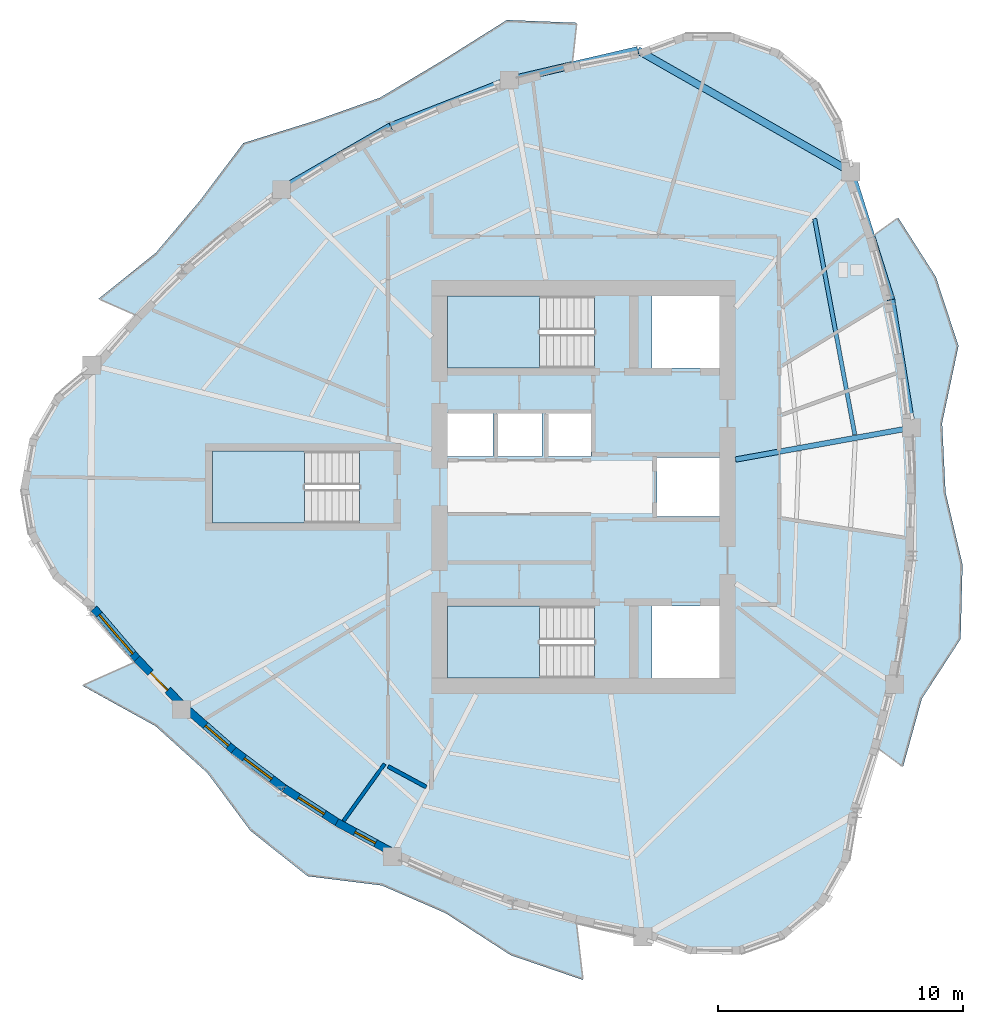
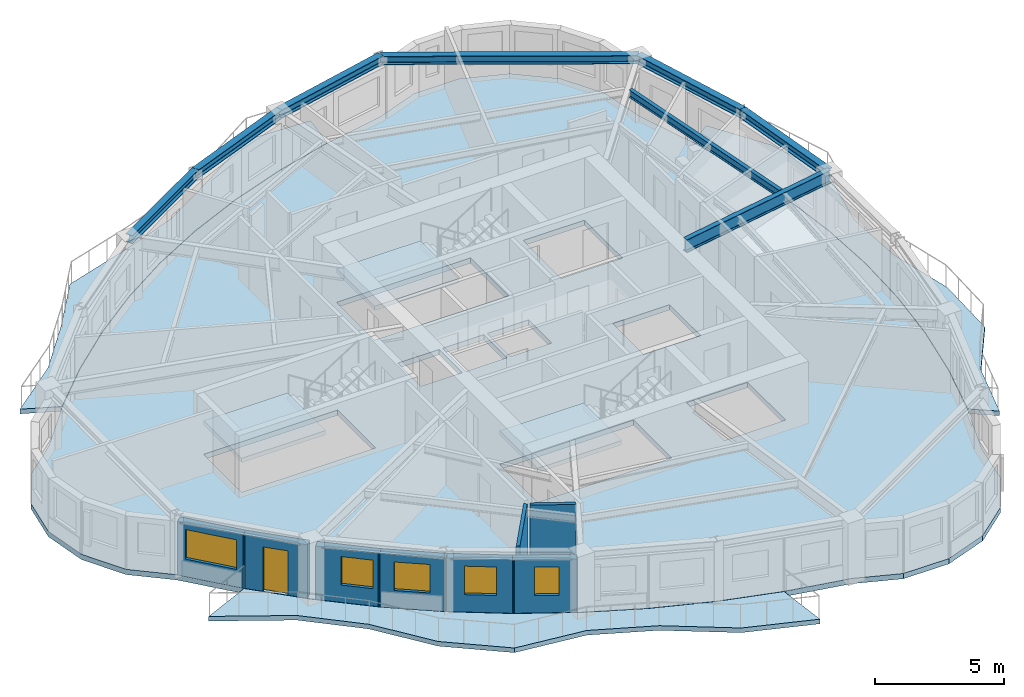
# One storey, part 2 of 12: 8 beams, 8 walls, 7 slabs, 5 windows, 1 door, 6 openings, 3 elements without a shape of their own.
"""IFC4 building model written with IfcOpenShell, lengths in metres."""

from ifc_helpers import new_model, si_unit, direction, frame, frame_2d, origin, origin_2d, place, context, subcontext, project, spatial, polyline, rectangle, i_section, outline, extrude, source, transform, mapped, material, layer, layer_set, material_profile, profile_set, type_object, element, fill, aggregate, save


model = new_model("IFC4")

# Units and contexts
model_context = context("Model", 3, precision=1e-05, world=origin(), true_north=direction((0.0, 1.0)))
body_context = subcontext(model_context, "Body", "Model", "MODEL_VIEW")
ifc_project = project(units=[si_unit("LENGTHUNIT", "METRE"), si_unit("AREAUNIT", "SQUARE_METRE"), si_unit("VOLUMEUNIT", "CUBIC_METRE"), si_unit("PLANEANGLEUNIT", "RADIAN"), si_unit("MASSUNIT", "GRAM", prefix="KILO")], contexts=[model_context])

# Site, building, storey
site_placement = place(None, origin())
site = spatial("IfcSite", under=ifc_project, at=site_placement, CompositionType="ELEMENT")
building_placement = place(site_placement, origin())
building = spatial("IfcBuilding", under=site, at=building_placement, Name="Qafzar Sky-Pleat Residences", CompositionType="ELEMENT")
storey_placement = place(building_placement, frame((0.0, 0.0, 171.39990234375)))
storey = spatial("IfcBuildingStorey", under=building, at=storey_placement, Name="L51", CompositionType="ELEMENT", Elevation=171.39990234375)

# Beams
ifc_material_1 = material(Name="Steel S355", Category="steel")
ifc_material_profile_1 = material_profile(ifc_material_1, i_section(OverallWidth=0.300048828125, OverallDepth=0.39990234375, WebThickness=0.013427734375, FlangeThickness=0.02392578125, FilletRadius=0.027099609375, at=origin_2d()), Name="HEB 400")
ifc_profile_set_1 = profile_set([ifc_material_profile_1], Name="Steel S355")
beam_type_1 = type_object("IfcBeamType", Name="BM-SPAN-HEB400", PredefinedType="SPANDREL", material=ifc_profile_set_1)
shared_shape_1 = source(origin(), body_context, "Body", "SweptSolid", [
    extrude(i_section(OverallWidth=0.300048828125, OverallDepth=0.39990234375, WebThickness=0.013427734375, FlangeThickness=0.02392578125, FilletRadius=0.027099609375, at=origin_2d()), origin(), (0.0, 0.0, 1.0), 10.017578125),
])
beam_1_placement = place(storey_placement, frame((41.25634765625, 38.860107421875, 2.748046875), z_axis=(-0.86844553877, 0.495784576394, 0.0), x_axis=(-0.495784576394, -0.86844553877, 0.0)))
element("IfcBeam", 1, at=beam_1_placement, inside=storey, type_object=beam_type_1, Name="L51 Perimeter Spandrel Beam 13", PredefinedType="SPANDREL", context=body_context, shape_type="MappedRepresentation", body=[
    mapped(shared_shape_1, transform((0.0, 0.0, 0.0), x_axis=(1.0, 0.0, 0.0), y_axis=(0.0, 1.0, 0.0), z_axis=(0.0, 0.0, 1.0), scale=1.0)),
])
shared_shape_2 = source(origin(), body_context, "Body", "SweptSolid", [
    extrude(i_section(OverallWidth=0.300048828125, OverallDepth=0.39990234375, WebThickness=0.013427734375, FlangeThickness=0.02392578125, FilletRadius=0.027099609375, at=origin_2d()), origin(), (0.0, 0.0, 1.0), 5.468505859375),
])
beam_2_placement = place(storey_placement, frame((42.897705078125, 33.643798828125, 2.748046875), z_axis=(-0.300150473614, 0.953891866612, 0.0), x_axis=(-0.953891866612, -0.300150473614, 0.0)))
element("IfcBeam", 2, at=beam_2_placement, inside=storey, type_object=beam_type_1, Name="L51 Perimeter Spandrel Beam 12", PredefinedType="SPANDREL", context=body_context, shape_type="MappedRepresentation", body=[
    mapped(shared_shape_2, transform((0.0, 0.0, 0.0), x_axis=(1.0, 0.0, 0.0), y_axis=(0.0, 1.0, 0.0), z_axis=(0.0, 0.0, 1.0), scale=1.0)),
])
shared_shape_3 = source(origin(), body_context, "Body", "SweptSolid", [
    extrude(i_section(OverallWidth=0.300048828125, OverallDepth=0.39990234375, WebThickness=0.013427734375, FlangeThickness=0.02392578125, FilletRadius=0.027099609375, at=origin_2d()), origin(), (0.0, 0.0, 1.0), 5.292236328125),
])
beam_3_placement = place(storey_placement, frame((43.74365234375, 28.419677734375, 2.748046875), z_axis=(-0.159848832351, 0.98714150495, 0.0), x_axis=(-0.98714150495, -0.159848832351, 0.0)))
element("IfcBeam", 3, at=beam_3_placement, inside=storey, type_object=beam_type_1, Name="L51 Perimeter Spandrel Beam 11", PredefinedType="SPANDREL", context=body_context, shape_type="MappedRepresentation", body=[
    mapped(shared_shape_3, transform((0.0, 0.0, 0.0), x_axis=(1.0, 0.0, 0.0), y_axis=(0.0, 1.0, 0.0), z_axis=(0.0, 0.0, 1.0), scale=1.0)),
])
shared_shape_4 = source(origin(), body_context, "Body", "SweptSolid", [
    extrude(i_section(OverallWidth=0.300048828125, OverallDepth=0.39990234375, WebThickness=0.013427734375, FlangeThickness=0.02392578125, FilletRadius=0.027099609375, at=origin_2d()), origin(), (0.0, 0.0, 1.0), 5.376220703125),
])
beam_4_placement = place(storey_placement, frame((32.556640625, 43.82666015625, 2.748046875), z_axis=(-0.974009424983, -0.226507483417, 0.0), x_axis=(0.226507483417, -0.974009424983, 0.0)))
element("IfcBeam", 4, at=beam_4_placement, inside=storey, type_object=beam_type_1, Name="L51 Perimeter Spandrel Beam 14", PredefinedType="SPANDREL", context=body_context, shape_type="MappedRepresentation", body=[
    mapped(shared_shape_4, transform((0.0, 0.0, 0.0), x_axis=(1.0, 0.0, 0.0), y_axis=(0.0, 1.0, 0.0), z_axis=(0.0, 0.0, 1.0), scale=1.0)),
])
shared_shape_5 = source(origin(), body_context, "Body", "SweptSolid", [
    extrude(i_section(OverallWidth=0.300048828125, OverallDepth=0.39990234375, WebThickness=0.013427734375, FlangeThickness=0.02392578125, FilletRadius=0.027099609375, at=origin_2d()), origin(), (0.0, 0.0, 1.0), 5.20263671875),
])
beam_5_placement = place(storey_placement, frame((27.320068359375, 42.60888671875, 2.748046875), z_axis=(-0.931325836308, -0.364187021494, 0.0), x_axis=(0.364187021494, -0.931325836308, 0.0)))
element("IfcBeam", 5, at=beam_5_placement, inside=storey, type_object=beam_type_1, Name="L51 Perimeter Spandrel Beam 15", PredefinedType="SPANDREL", context=body_context, shape_type="MappedRepresentation", body=[
    mapped(shared_shape_5, transform((0.0, 0.0, 0.0), x_axis=(1.0, 0.0, 0.0), y_axis=(0.0, 1.0, 0.0), z_axis=(0.0, 0.0, 1.0), scale=1.0)),
])
shared_shape_6 = source(origin(), body_context, "Body", "SweptSolid", [
    extrude(i_section(OverallWidth=0.300048828125, OverallDepth=0.39990234375, WebThickness=0.013427734375, FlangeThickness=0.02392578125, FilletRadius=0.027099609375, at=origin_2d()), origin(), (0.0, 0.0, 1.0), 5.1435546875),
])
beam_6_placement = place(storey_placement, frame((22.474609375, 40.714111328125, 2.748046875), z_axis=(-0.866032247962, -0.499988145349, 0.0), x_axis=(0.499988145349, -0.866032247962, 0.0)))
element("IfcBeam", 6, at=beam_6_placement, inside=storey, type_object=beam_type_1, Name="L51 Perimeter Spandrel Beam 16", PredefinedType="SPANDREL", context=body_context, shape_type="MappedRepresentation", body=[
    mapped(shared_shape_6, transform((0.0, 0.0, 0.0), x_axis=(1.0, 0.0, 0.0), y_axis=(0.0, 1.0, 0.0), z_axis=(0.0, 0.0, 1.0), scale=1.0)),
])
ifc_material_profile_2 = material_profile(ifc_material_1, i_section(OverallWidth=0.219970703125, OverallDepth=0.60009765625, WebThickness=0.011962890625, FlangeThickness=0.01904296875, FilletRadius=0.02392578125, at=origin_2d()), Name="IPE 600")
ifc_profile_set_2 = profile_set([ifc_material_profile_2], Name="Steel S355")
beam_type_2 = type_object("IfcBeamType", Name="BM-SEC-IPE600", PredefinedType="BEAM", material=ifc_profile_set_2)
shared_shape_7 = source(origin(), body_context, "Body", "SweptSolid", [
    extrude(i_section(OverallWidth=0.219970703125, OverallDepth=0.60009765625, WebThickness=0.011962890625, FlangeThickness=0.01904296875, FilletRadius=0.02392578125, at=origin_2d()), origin(), (0.0, 0.0, 1.0), 7.31005859375),
])
beam_7_placement = place(storey_placement, frame((43.74365234375, 28.419677734375, 2.648193359375), z_axis=(-0.984070742657, -0.177777314209, 0.0), x_axis=(0.177777314209, -0.984070742657, 0.0)))
element("IfcBeam", 7, at=beam_7_placement, inside=storey, type_object=beam_type_2, Name="L51 Radial Floor Girder 11", PredefinedType="BEAM", context=body_context, shape_type="MappedRepresentation", body=[
    mapped(shared_shape_7, transform((0.0, 0.0, 0.0), x_axis=(1.0, 0.0, 0.0), y_axis=(0.0, 1.0, 0.0), z_axis=(0.0, 0.0, 1.0), scale=1.0)),
])
ifc_material_profile_3 = material_profile(ifc_material_1, i_section(OverallWidth=0.169921875, OverallDepth=0.360107421875, WebThickness=0.008056640625, FlangeThickness=0.0126953125, FilletRadius=0.01806640625, at=origin_2d()), Name="IPE 360")
ifc_profile_set_3 = profile_set([ifc_material_profile_3], Name="Steel S355")
beam_type_3 = type_object("IfcBeamType", Name="BM-JST-IPE360", PredefinedType="JOIST", material=ifc_profile_set_3)
shared_shape_8 = source(origin(), body_context, "Body", "SweptSolid", [
    extrude(i_section(OverallWidth=0.169921875, OverallDepth=0.360107421875, WebThickness=0.008056640625, FlangeThickness=0.0126953125, FilletRadius=0.01806640625, at=origin_2d()), origin(), (0.0, 0.0, 1.0), 8.966552734375),
])
beam_8_placement = place(storey_placement, frame((41.4169921875, 28.136474609375, 2.76806640625), z_axis=(-0.183108044319, 0.983092795267, 0.0), x_axis=(-0.983092795267, -0.183108044319, 0.0)))
element("IfcBeam", 8, at=beam_8_placement, inside=storey, type_object=beam_type_3, Name="L51 Outer Secondary Floor Joist 6", PredefinedType="JOIST", context=body_context, shape_type="MappedRepresentation", body=[
    mapped(shared_shape_8, transform((0.0, 0.0, 0.0), x_axis=(1.0, 0.0, 0.0), y_axis=(0.0, 1.0, 0.0), z_axis=(0.0, 0.0, 1.0), scale=1.0)),
])

# Slabs
ifc_material_2 = material(Name="Concrete C40/50", Category="concrete")
ifc_layer_1 = layer(ifc_material_2, 0.219970703125)
ifc_layer_set_1 = layer_set([ifc_layer_1], Name="Concrete C40/50")
slab_type_1 = type_object("IfcSlabType", Name="SLAB-BAL-220", PredefinedType="USERDEFINED", material=ifc_layer_set_1)
slab_1_placement = place(storey_placement, frame((0.0, 0.0, -0.219970703125)))
element("IfcSlab", 9, at=slab_1_placement, inside=storey, type_object=slab_type_1, Name="L51 Pleated Stone Balcony 1", ObjectType="BALCONY", PredefinedType="USERDEFINED", context=body_context, shape_type="SweptSolid", body=[
    extrude(outline(polyline([(43.060546875, 17.942626953125), (43.532958984375, 20.565185546875), (43.80615234375, 23.185791015625), (43.88037109375, 25.8046875), (43.755615234375, 28.42138671875), (43.431396484375, 31.036376953125), (42.908203125, 33.649169921875), (42.18603515625, 36.259765625), (43.189208984375, 36.9853515625), (44.721435546875, 34.57958984375), (45.647216796875, 31.759521484375), (44.97900390625, 28.609619140625), (45.118408203125, 25.789306640625), (45.812744140625, 22.82861328125), (45.73291015625, 19.79541015625), (44.152099609375, 17.358642578125), (43.38330078125, 14.580810546875), (42.38916015625, 15.318603515625), (43.060546875, 17.942626953125)])), origin(), (0.0, 0.0, 1.0), 0.219970703125),
])
slab_2_placement = place(storey_placement, frame((0.0, 0.0, -0.219970703125)))
element("IfcSlab", 10, at=slab_2_placement, inside=storey, type_object=slab_type_1, Name="L51 Pleated Stone Balcony 2", ObjectType="BALCONY", PredefinedType="USERDEFINED", context=body_context, shape_type="SweptSolid", body=[
    extrude(outline(polyline([(27.319580078125, 42.62109375), (24.84619140625, 41.758056640625), (22.47021484375, 40.725341796875), (20.1923828125, 39.523193359375), (18.01220703125, 38.151611328125), (15.93017578125, 36.6103515625), (13.946044921875, 34.899658203125), (12.059814453125, 33.01953125), (10.560791015625, 33.6796875), (12.89990234375, 35.56201171875), (14.699951171875, 37.69189453125), (16.464111328125, 40.034912109375), (19.373291015625, 40.94189453125), (22.03515625, 41.884521484375), (24.524658203125, 43.364013671875), (27.219970703125, 45.056884765625), (30.068603515625, 44.942626953125), (29.890869140625, 43.314453125), (27.319580078125, 42.62109375)])), origin(), (0.0, 0.0, 1.0), 0.219970703125),
])
slab_3_placement = place(storey_placement, frame((0.0, 0.0, -0.219970703125)))
element("IfcSlab", 11, at=slab_3_placement, inside=storey, type_object=slab_type_1, Name="L51 Pleated Stone Balcony 3", ObjectType="BALCONY", PredefinedType="USERDEFINED", context=body_context, shape_type="SweptSolid", body=[
    extrude(outline(polyline([(13.92138671875, 16.91357421875), (15.922607421875, 15.154296875), (18.025146484375, 13.56591796875), (20.22900390625, 12.1494140625), (22.5341796875, 10.904296875), (24.940185546875, 9.830810546875), (27.447509765625, 8.9287109375), (30.055908203125, 8.197998046875), (30.3232421875, 5.88232421875), (27.381591796875, 6.8916015625), (24.710205078125, 8.6142578125), (22.112548828125, 9.740234375), (19.08837890625, 10.11669921875), (16.75, 11.976318359375), (15.001708984375, 14.326904296875), (12.88134765625, 16.2421875), (9.894287109375, 17.8916015625), (12.021484375, 18.844482421875), (13.92138671875, 16.91357421875)])), origin(), (0.0, 0.0, 1.0), 0.219970703125),
])
ifc_layer_2 = layer(ifc_material_2, 0.25)
ifc_layer_set_2 = layer_set([ifc_layer_2], Name="Concrete C40/50")
slab_type_2 = type_object("IfcSlabType", Name="SLAB-FLR-250", PredefinedType="FLOOR", material=ifc_layer_set_2)
slab_4_placement = place(storey_placement, frame((0.0, 0.0, -0.25)))
element("IfcSlab", 12, at=slab_4_placement, inside=storey, type_object=slab_type_2, Name="L51 Structural Floor Slab", PredefinedType="FLOOR", context=body_context, shape_type="SweptSolid", body=[
    extrude(outline(polyline([(10.283203125, 30.967041015625), (8.746337890625, 29.679443359375), (7.739501953125, 27.945556640625), (7.38330078125, 25.972412109375), (7.720458984375, 23.995849609375), (8.710205078125, 22.252197265625), (10.234619140625, 20.94970703125), (12.03271484375, 18.849365234375), (13.931640625, 16.920166015625), (15.931640625, 15.162109375), (18.03271484375, 13.575439453125), (20.23486328125, 12.159912109375), (22.5380859375, 10.91552734375), (24.9423828125, 9.842529296875), (27.447998046875, 8.940673828125), (30.054443359375, 8.209716796875), (32.761962890625, 7.650390625), (34.66650390625, 6.939697265625), (36.69921875, 6.9296875), (38.610595703125, 7.6220703125), (40.165771484375, 8.93115234375), (41.173583984375, 10.696533203125), (41.51025390625, 12.701171875), (42.37939453125, 15.32568359375), (43.050048828125, 17.948486328125), (43.521484375, 20.569091796875), (43.79443359375, 23.18798828125), (43.868408203125, 25.8046875), (43.74365234375, 28.419677734375), (43.419921875, 31.03271484375), (42.897705078125, 33.643798828125), (42.176513671875, 36.252685546875), (41.25634765625, 38.860107421875), (40.890625, 40.831298828125), (39.87548828125, 42.560546875), (38.332275390625, 43.8408203125), (36.4453125, 44.518798828125), (34.440185546875, 44.513916015625), (32.556640625, 43.82666015625), (29.889404296875, 43.302490234375), (27.320068359375, 42.60888671875), (24.848388671875, 41.74609375), (22.474609375, 40.714111328125), (20.1982421875, 39.512939453125), (18.02001953125, 38.142333984375), (15.939208984375, 36.602294921875), (13.9560546875, 34.893310546875), (12.07080078125, 33.014892578125), (10.283203125, 30.967041015625)]), holes=[polyline([(30.797119140625, 21.14990234375), (24.800048828125, 21.14990234375), (24.800048828125, 18.199951171875), (30.797119140625, 18.199951171875), (30.797119140625, 21.14990234375)]), polyline([(30.797119140625, 33.800048828125), (24.800048828125, 33.800048828125), (24.800048828125, 30.85009765625), (30.797119140625, 30.85009765625), (30.797119140625, 33.800048828125)]), polyline([(21.197021484375, 27.47509765625), (15.199951171875, 27.47509765625), (15.199951171875, 24.52490234375), (21.197021484375, 24.52490234375), (21.197021484375, 27.47509765625)]), polyline([(24.800048828125, 27.25), (26.64990234375, 27.25), (26.64990234375, 29.050048828125), (24.800048828125, 29.050048828125), (24.800048828125, 27.25)]), polyline([(26.800048828125, 27.25), (28.64990234375, 27.25), (28.64990234375, 29.050048828125), (26.800048828125, 29.050048828125), (26.800048828125, 27.25)]), polyline([(28.800048828125, 27.25), (30.64990234375, 27.25), (30.64990234375, 29.050048828125), (28.800048828125, 29.050048828125), (28.800048828125, 27.25)]), polyline([(33.14990234375, 18.199951171875), (35.89990234375, 18.199951171875), (35.89990234375, 21.14990234375), (33.14990234375, 21.14990234375), (33.14990234375, 18.199951171875)]), polyline([(33.14990234375, 30.85009765625), (35.89990234375, 30.85009765625), (35.89990234375, 33.800048828125), (33.14990234375, 33.800048828125), (33.14990234375, 30.85009765625)]), polyline([(33.35009765625, 24.800048828125), (35.89990234375, 24.800048828125), (35.89990234375, 27.199951171875), (33.35009765625, 27.199951171875), (33.35009765625, 24.800048828125)])]), origin(), (0.0, 0.0, 1.0), 0.25),
])

# Stair, slab
stair_type = type_object("IfcStairType", Name="STAIR-H320", PredefinedType="HALF_TURN_STAIR", material=ifc_material_2)
stair_1_placement = place(storey_placement, origin())
stair_1 = element("IfcStair", 13, at=stair_1_placement, inside=storey, type_object=stair_type, Name="L51 Protected Exit Stair ST1", PredefinedType="HALF_TURN_STAIR")
ifc_layer_3 = layer(ifc_material_2, 0.199951171875)
ifc_layer_set_3 = layer_set([ifc_layer_3], Name="Concrete C40/50")
slab_type_3 = type_object("IfcSlabType", Name="SLAB-LANDING-200", PredefinedType="LANDING", material=ifc_layer_set_3)
slab_5_placement = place(storey_placement, frame((0.0, 0.0, 1.400146484375)))
slab_5 = element("IfcSlab", 14, at=slab_5_placement, type_object=slab_type_3, Name="ST1 landing 1", PredefinedType="LANDING", context=body_context, shape_type="SweptSolid", body=[
    extrude(outline(polyline([(28.56005859375, 21.14990234375), (24.800048828125, 21.14990234375), (24.800048828125, 18.199951171875), (28.56005859375, 18.199951171875), (28.56005859375, 21.14990234375)])), origin(), (0.0, 0.0, 1.0), 0.199951171875),
])
aggregate(stair_1, [slab_5])

stair_2_placement = place(storey_placement, origin())
stair_2 = element("IfcStair", 15, at=stair_2_placement, inside=storey, type_object=stair_type, Name="L51 Protected Exit Stair ST2", PredefinedType="HALF_TURN_STAIR")
slab_6_placement = place(storey_placement, frame((0.0, 0.0, 1.400146484375)))
slab_6 = element("IfcSlab", 16, at=slab_6_placement, type_object=slab_type_3, Name="ST2 landing 1", PredefinedType="LANDING", context=body_context, shape_type="SweptSolid", body=[
    extrude(outline(polyline([(28.56005859375, 33.800048828125), (24.800048828125, 33.800048828125), (24.800048828125, 30.85009765625), (28.56005859375, 30.85009765625), (28.56005859375, 33.800048828125)])), origin(), (0.0, 0.0, 1.0), 0.199951171875),
])
aggregate(stair_2, [slab_6])

stair_3_placement = place(storey_placement, origin())
stair_3 = element("IfcStair", 17, at=stair_3_placement, inside=storey, type_object=stair_type, Name="L51 Protected Exit Stair ST3", PredefinedType="HALF_TURN_STAIR")
slab_7_placement = place(storey_placement, frame((0.0, 0.0, 1.400146484375)))
slab_7 = element("IfcSlab", 18, at=slab_7_placement, type_object=slab_type_3, Name="ST3 landing 1", PredefinedType="LANDING", context=body_context, shape_type="SweptSolid", body=[
    extrude(outline(polyline([(18.9599609375, 27.47509765625), (15.199951171875, 27.47509765625), (15.199951171875, 24.52490234375), (18.9599609375, 24.52490234375), (18.9599609375, 27.47509765625)])), origin(), (0.0, 0.0, 1.0), 0.199951171875),
])
aggregate(stair_3, [slab_7])

# Walls
ifc_material_3 = material(Name="Acoustic gypsum plasterboard partition", Category="gypsum")
ifc_layer_4 = layer(ifc_material_3, 0.159912109375)
ifc_layer_set_4 = layer_set([ifc_layer_4], Name="Acoustic gypsum plasterboard partition")
wall_type_1 = type_object("IfcWallType", Name="PART-COR-160", PredefinedType="PARTITIONING", material=ifc_layer_set_4)
wall_1_placement = place(storey_placement, frame((22.3701171875, 14.597900390625, 0.0), z_axis=(0.0, 0.0, 1.0), x_axis=(0.879928353623, -0.475106401231, 0.0)))
element("IfcWall", 19, at=wall_1_placement, inside=storey, type_object=wall_type_1, Name="L51 Partition Wall PART-L51-PW-027", PredefinedType="PARTITIONING", context=body_context, shape_type="SweptSolid", body=[
    extrude(rectangle(XDim=1.778564453125, YDim=0.159912109375, at=frame_2d((0.88916015625, 0.0))), origin(), (0.0, 0.0, 1.0), 2.9501953125),
])
ifc_layer_5 = layer(ifc_material_3, 0.14501953125)
ifc_layer_set_5 = layer_set([ifc_layer_5], Name="Acoustic gypsum plasterboard partition")
wall_type_2 = type_object("IfcWallType", Name="PART-UNIT-145", PredefinedType="PARTITIONING", material=ifc_layer_set_5)
wall_2_placement = place(storey_placement, frame((20.554931640625, 12.3701171875, 0.0), z_axis=(0.0, 0.0, 1.0), x_axis=(0.583544912932, 0.812080867027, 0.0)))
element("IfcWall", 20, at=wall_2_placement, inside=storey, type_object=wall_type_2, Name="L51 Partition Wall PART-L51-PW-023", PredefinedType="PARTITIONING", context=body_context, shape_type="SweptSolid", body=[
    extrude(rectangle(XDim=2.870361328125, YDim=0.14501953125, at=frame_2d((1.43505859375, 0.0))), origin(), (0.0, 0.0, 1.0), 2.9501953125),
])

# Wall, opening, window
ifc_material_4 = material(Name="Precast concrete C40/50 with honed Riyadh limestone", Category="concrete")
ifc_layer_6 = layer(ifc_material_4, 0.320068359375)
ifc_layer_set_6 = layer_set([ifc_layer_6], Name="Precast concrete C40/50 with honed Riyadh limestone")
wall_type_3 = type_object("IfcWallType", Name="WALL-EXT-320", PredefinedType="SOLIDWALL", material=ifc_layer_set_6)
wall_3_placement = place(storey_placement, frame((10.369384765625, 21.03857421875, 0.0), z_axis=(0.0, 0.0, 1.0), x_axis=(0.65028546754, -0.759689943797, 0.0)))
wall_3 = element("IfcWall", 21, at=wall_3_placement, inside=storey, type_object=wall_type_3, Name="L51 Limestone Facade Wall 7", PredefinedType="SOLIDWALL", context=body_context, shape_type="SweptSolid", body=[
    extrude(rectangle(XDim=2.78271484375, YDim=0.320068359375, at=frame_2d((1.391357421875, 0.0))), origin(), (0.0, 0.0, 1.0), 2.530029296875),
])
opening_1_placement = place(wall_3_placement, frame((0.331298828125, 0.0, 0.820068359375)))
opening_1 = element("IfcOpeningElement", 22, at=opening_1_placement, cuts=wall_3, Name="Opening WN-07", PredefinedType="OPENING", context=body_context, shape_type="SweptSolid", body=[
    extrude(rectangle(XDim=2.10009765625, YDim=1.39990234375, at=frame_2d((1.050048828125, 0.699951171875))), frame((0.0, 0.169921875, 0.0), z_axis=(0.0, -1.0, 0.0), x_axis=(1.0, 0.0, 0.0)), (0.0, 0.0, 1.0), 0.340087890625),
])
ifc_material_5 = material(Name="Solar-control low-E glass in bronze aluminium frame", Category="glass")
window_type_1 = type_object("IfcWindowType", Name="WIN-07", PartitioningType="DOUBLE_PANEL_VERTICAL", PredefinedType="WINDOW", material=ifc_material_5)
shared_shape_9 = source(origin(), body_context, "Body", "SweptSolid", [
    extrude(rectangle(XDim=2.10009765625, YDim=1.39990234375, at=frame_2d((1.050048828125, 0.699951171875))), frame((0.0, 0.030029296875, 0.0), z_axis=(0.0, -1.0, 0.0), x_axis=(1.0, 0.0, 0.0)), (0.0, 0.0, 1.0), 0.06005859375),
])
window_1_placement = place(opening_1_placement, origin())
window_1 = element("IfcWindow", 23, at=window_1_placement, inside=storey, type_object=window_type_1, Name="L51 Punched Facade Window 07", OverallHeight=1.39990234375, OverallWidth=2.10009765625, PartitioningType="SINGLE_PANEL", PredefinedType="WINDOW", context=body_context, shape_type="MappedRepresentation", body=[
    mapped(shared_shape_9, transform((0.0, 0.0, 0.0), x_axis=(1.0, 0.0, 0.0), y_axis=(0.0, 1.0, 0.0), z_axis=(0.0, 0.0, 1.0), scale=1.0)),
])
fill(opening_1, window_1)

# Wall, opening, door
wall_4_placement = place(storey_placement, frame((12.1201171875, 18.988525390625, 0.0), z_axis=(0.0, 0.0, 1.0), x_axis=(0.701501494422, -0.71266798253, 0.0)))
wall_4 = element("IfcWall", 24, at=wall_4_placement, inside=storey, type_object=wall_type_3, Name="L51 Limestone Facade Wall 8", PredefinedType="SOLIDWALL", context=body_context, shape_type="SweptSolid", body=[
    extrude(rectangle(XDim=2.579833984375, YDim=0.320068359375, at=frame_2d((1.2900390625, 0.0))), origin(), (0.0, 0.0, 1.0), 2.530029296875),
])
opening_2_placement = place(wall_4_placement, frame((0.794921875, 0.0, 0.0)))
opening_2 = element("IfcOpeningElement", 25, at=opening_2_placement, cuts=wall_4, Name="Opening ED-05", PredefinedType="OPENING", context=body_context, shape_type="SweptSolid", body=[
    extrude(rectangle(XDim=1.0, YDim=2.10009765625, at=frame_2d((0.5, 1.050048828125))), frame((0.0, 0.169921875, 0.0), z_axis=(0.0, -1.0, 0.0), x_axis=(1.0, 0.0, 0.0)), (0.0, 0.0, 1.0), 0.340087890625),
])
ifc_material_6 = material(Name="Glazed bronze aluminium door", Category="aluminium")
door_type = type_object("IfcDoorType", Name="DR-BAL-1000", OperationType="NOTDEFINED", PredefinedType="DOOR", material=ifc_material_6)
shared_shape_10 = source(origin(), body_context, "Body", "SweptSolid", [
    extrude(rectangle(XDim=1.0, YDim=2.10009765625, at=frame_2d((0.5, 1.050048828125))), frame((0.0, 0.02490234375, 0.0), z_axis=(0.0, -1.0, 0.0), x_axis=(1.0, 0.0, 0.0)), (0.0, 0.0, 1.0), 0.050048828125),
])
door_placement = place(opening_2_placement, origin())
door = element("IfcDoor", 26, at=door_placement, inside=storey, type_object=door_type, Name="L51 Glazed Balcony Door 3", OperationType="SINGLE_SWING_LEFT", OverallHeight=2.10009765625, OverallWidth=1.0, PredefinedType="DOOR", context=body_context, shape_type="MappedRepresentation", body=[
    mapped(shared_shape_10, transform((0.0, 0.0, 0.0), x_axis=(1.0, 0.0, 0.0), y_axis=(0.0, 1.0, 0.0), z_axis=(0.0, 0.0, 1.0), scale=1.0)),
])
fill(opening_2, door)

# Wall, opening, window
wall_5_placement = place(storey_placement, frame((14.1611328125, 16.931396484375, 0.0), z_axis=(0.0, 0.0, 1.0), x_axis=(0.751131625517, -0.660152468107, 0.0)))
wall_5 = element("IfcWall", 27, at=wall_5_placement, inside=storey, type_object=wall_type_3, Name="L51 Limestone Facade Wall 9", PredefinedType="SOLIDWALL", context=body_context, shape_type="SweptSolid", body=[
    extrude(rectangle(XDim=2.535888671875, YDim=0.320068359375, at=frame_2d((1.26806640625, 0.0))), origin(), (0.0, 0.0, 1.0), 2.530029296875),
])
opening_3_placement = place(wall_5_placement, frame((1.009521484375, 0.0, 0.820068359375)))
opening_3 = element("IfcOpeningElement", 28, at=opening_3_placement, cuts=wall_5, Name="Opening WN-11", PredefinedType="OPENING", context=body_context, shape_type="SweptSolid", body=[
    extrude(rectangle(XDim=1.25, YDim=1.35009765625, at=frame_2d((0.625, 0.675048828125))), frame((0.0, 0.169921875, 0.0), z_axis=(0.0, -1.0, 0.0), x_axis=(1.0, 0.0, 0.0)), (0.0, 0.0, 1.0), 0.340087890625),
])
window_type_2 = type_object("IfcWindowType", Name="WIN-11", PartitioningType="SINGLE_PANEL", PredefinedType="WINDOW", material=ifc_material_5)
shared_shape_11 = source(origin(), body_context, "Body", "SweptSolid", [
    extrude(rectangle(XDim=1.25, YDim=1.35009765625, at=frame_2d((0.625, 0.675048828125))), frame((0.0, 0.030029296875, 0.0), z_axis=(0.0, -1.0, 0.0), x_axis=(1.0, 0.0, 0.0)), (0.0, 0.0, 1.0), 0.06005859375),
])
window_2_placement = place(opening_3_placement, origin())
window_2 = element("IfcWindow", 29, at=window_2_placement, inside=storey, type_object=window_type_2, Name="L51 Punched Facade Window 09-2", OverallHeight=1.35009765625, OverallWidth=1.25, PartitioningType="SINGLE_PANEL", PredefinedType="WINDOW", context=body_context, shape_type="MappedRepresentation", body=[
    mapped(shared_shape_11, transform((0.0, 0.0, 0.0), x_axis=(1.0, 0.0, 0.0), y_axis=(0.0, 1.0, 0.0), z_axis=(0.0, 0.0, 1.0), scale=1.0)),
])
fill(opening_3, window_2)

wall_6_placement = place(storey_placement, frame((15.997802734375, 15.312744140625, 0.0), z_axis=(0.0, 0.0, 1.0), x_axis=(0.797995270696, -0.602663710494, 0.0)))
wall_6 = element("IfcWall", 30, at=wall_6_placement, inside=storey, type_object=wall_type_3, Name="L51 Limestone Facade Wall 10", PredefinedType="SOLIDWALL", context=body_context, shape_type="SweptSolid", body=[
    extrude(rectangle(XDim=2.65087890625, YDim=0.320068359375, at=frame_2d((1.325439453125, 0.0))), origin(), (0.0, 0.0, 1.0), 2.530029296875),
])
opening_4_placement = place(wall_6_placement, frame((0.635498046875, 0.0, 0.820068359375)))
opening_4 = element("IfcOpeningElement", 31, at=opening_4_placement, cuts=wall_6, Name="Opening WN-10", PredefinedType="OPENING", context=body_context, shape_type="SweptSolid", body=[
    extrude(rectangle(XDim=1.39990234375, YDim=1.35009765625, at=frame_2d((0.699951171875, 0.675048828125))), frame((0.0, 0.169921875, 0.0), z_axis=(0.0, -1.0, 0.0), x_axis=(1.0, 0.0, 0.0)), (0.0, 0.0, 1.0), 0.340087890625),
])
window_type_3 = type_object("IfcWindowType", Name="WIN-10", PartitioningType="SINGLE_PANEL", PredefinedType="WINDOW", material=ifc_material_5)
shared_shape_12 = source(origin(), body_context, "Body", "SweptSolid", [
    extrude(rectangle(XDim=1.39990234375, YDim=1.35009765625, at=frame_2d((0.699951171875, 0.675048828125))), frame((0.0, 0.030029296875, 0.0), z_axis=(0.0, -1.0, 0.0), x_axis=(1.0, 0.0, 0.0)), (0.0, 0.0, 1.0), 0.06005859375),
])
window_3_placement = place(opening_4_placement, origin())
window_3 = element("IfcWindow", 32, at=window_3_placement, inside=storey, type_object=window_type_3, Name="L51 Punched Facade Window 10", OverallHeight=1.35009765625, OverallWidth=1.39990234375, PartitioningType="SINGLE_PANEL", PredefinedType="WINDOW", context=body_context, shape_type="MappedRepresentation", body=[
    mapped(shared_shape_12, transform((0.0, 0.0, 0.0), x_axis=(1.0, 0.0, 0.0), y_axis=(0.0, 1.0, 0.0), z_axis=(0.0, 0.0, 1.0), scale=1.0)),
])
fill(opening_4, window_3)

wall_7_placement = place(storey_placement, frame((18.135986328125, 13.69921875, 0.0), z_axis=(0.0, 0.0, 1.0), x_axis=(0.841223609804, -0.540687375761, 0.0)))
wall_7 = element("IfcWall", 33, at=wall_7_placement, inside=storey, type_object=wall_type_3, Name="L51 Limestone Facade Wall 11", PredefinedType="SOLIDWALL", context=body_context, shape_type="SweptSolid", body=[
    extrude(rectangle(XDim=2.635986328125, YDim=0.320068359375, at=frame_2d((1.31787109375, 0.0))), origin(), (0.0, 0.0, 1.0), 2.530029296875),
])
opening_5_placement = place(wall_7_placement, frame((0.682861328125, 0.0, 0.820068359375)))
opening_5 = element("IfcOpeningElement", 34, at=opening_5_placement, cuts=wall_7, Name="Opening WN-11", PredefinedType="OPENING", context=body_context, shape_type="SweptSolid", body=[
    extrude(rectangle(XDim=1.25, YDim=1.35009765625, at=frame_2d((0.625, 0.675048828125))), frame((0.0, 0.169921875, 0.0), z_axis=(0.0, -1.0, 0.0), x_axis=(1.0, 0.0, 0.0)), (0.0, 0.0, 1.0), 0.340087890625),
])
window_4_placement = place(opening_5_placement, origin())
window_4 = element("IfcWindow", 35, at=window_4_placement, inside=storey, type_object=window_type_2, Name="L51 Punched Facade Window 11", OverallHeight=1.35009765625, OverallWidth=1.25, PartitioningType="SINGLE_PANEL", PredefinedType="WINDOW", context=body_context, shape_type="MappedRepresentation", body=[
    mapped(shared_shape_11, transform((0.0, 0.0, 0.0), x_axis=(1.0, 0.0, 0.0), y_axis=(0.0, 1.0, 0.0), z_axis=(0.0, 0.0, 1.0), scale=1.0)),
])
fill(opening_5, window_4)

wall_8_placement = place(storey_placement, frame((20.277587890625, 12.318603515625, 0.0), z_axis=(0.0, 0.0, 1.0), x_axis=(0.879825062943, -0.475297652653, 0.0)))
wall_8 = element("IfcWall", 36, at=wall_8_placement, inside=storey, type_object=wall_type_3, Name="L51 Limestone Facade Wall 12", PredefinedType="SOLIDWALL", context=body_context, shape_type="SweptSolid", body=[
    extrude(rectangle(XDim=2.49072265625, YDim=0.320068359375, at=frame_2d((1.245361328125, 0.0))), origin(), (0.0, 0.0, 1.0), 2.530029296875),
])
opening_6_placement = place(wall_8_placement, frame((0.843505859375, 0.0, 0.820068359375)))
opening_6 = element("IfcOpeningElement", 37, at=opening_6_placement, cuts=wall_8, Name="Opening WN-12", PredefinedType="OPENING", context=body_context, shape_type="SweptSolid", body=[
    extrude(rectangle(XDim=0.949951171875, YDim=1.35009765625, at=frame_2d((0.47509765625, 0.675048828125))), frame((0.0, 0.169921875, 0.0), z_axis=(0.0, -1.0, 0.0), x_axis=(1.0, 0.0, 0.0)), (0.0, 0.0, 1.0), 0.340087890625),
])
window_type_4 = type_object("IfcWindowType", Name="WIN-12", PartitioningType="SINGLE_PANEL", PredefinedType="WINDOW", material=ifc_material_5)
shared_shape_13 = source(origin(), body_context, "Body", "SweptSolid", [
    extrude(rectangle(XDim=0.949951171875, YDim=1.35009765625, at=frame_2d((0.47509765625, 0.675048828125))), frame((0.0, 0.030029296875, 0.0), z_axis=(0.0, -1.0, 0.0), x_axis=(1.0, 0.0, 0.0)), (0.0, 0.0, 1.0), 0.06005859375),
])
window_5_placement = place(opening_6_placement, origin())
window_5 = element("IfcWindow", 38, at=window_5_placement, inside=storey, type_object=window_type_4, Name="L51 Punched Facade Window 12", OverallHeight=1.35009765625, OverallWidth=0.949951171875, PartitioningType="SINGLE_PANEL", PredefinedType="WINDOW", context=body_context, shape_type="MappedRepresentation", body=[
    mapped(shared_shape_13, transform((0.0, 0.0, 0.0), x_axis=(1.0, 0.0, 0.0), y_axis=(0.0, 1.0, 0.0), z_axis=(0.0, 0.0, 1.0), scale=1.0)),
])
fill(opening_6, window_5)

save(model, "model.ifc")
